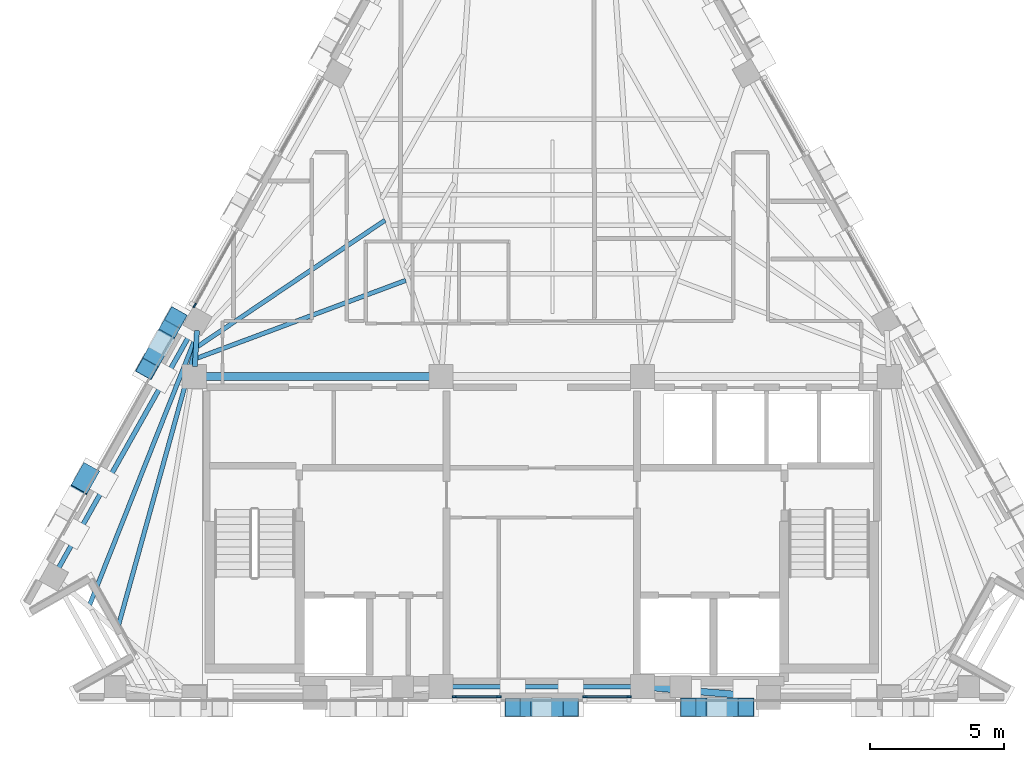
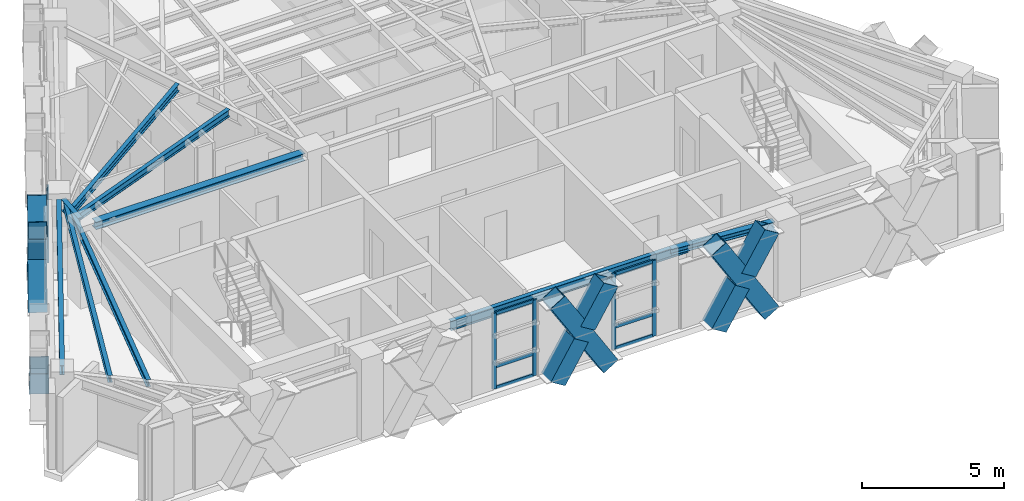
# One storey, part 2 of 11: 21 members, 9 beams, 3 elements without a shape of their own.
"""IFC4 building model written with IfcOpenShell, lengths in metres."""

import ifcopenshell
import ifcopenshell.guid

model = None  # the IFC model being written
_history = None  # IfcOwnerHistory: only IFC2X3 demands one
_inside = {}  # id of a spatial element -> (the spatial element, [elements in it])
_under = {}  # id of a project, library or spatial element -> (it, [spatial elements below it])
_declared = {}  # id of a project -> (the project, [libraries it declares])
_typed = {}  # id of a type object -> (the type object, [elements of that type])
_made_of = {}  # id of a material, layer set ... -> (it, [elements and type objects made of it])


def new_model(schema):
    """Start an empty IFC model of exactly this schema.

    Asked for "IFC4X3", IfcOpenShell would pick the latest addendum, in which some entities
    have other attributes; the version numbers below select the first issue.
    IFC2X3 requires an IfcOwnerHistory on every rooted entity: one is made here for all.
    """
    global model, _history
    if schema == "IFC4X3":
        model = ifcopenshell.file(schema_version=(4, 3, 0, 0))
    else:
        model = ifcopenshell.file(schema=schema)
    _inside.clear()
    _under.clear()
    _declared.clear()
    _typed.clear()
    _made_of.clear()
    _history = None
    if model.schema == "IFC2X3":
        org = make("IfcOrganization", Name="unknown")
        user = make(
            "IfcPersonAndOrganization",
            ThePerson=make("IfcPerson", FamilyName="unknown"),
            TheOrganization=org,
        )
        app = make(
            "IfcApplication",
            ApplicationDeveloper=org,
            Version="unknown",
            ApplicationFullName="unknown",
            ApplicationIdentifier="unknown",
        )
        _history = make(
            "IfcOwnerHistory",
            OwningUser=user,
            OwningApplication=app,
            ChangeAction="ADDED",
            CreationDate=0,
        )
    return model


def make(cls, **values):
    """One entity of the class cls with the attributes given. An attribute that is None is left unset."""
    return model.create_entity(
        cls, **{name: value for name, value in values.items() if value is not None}
    )


def rooted(cls, **values):
    """An entity with a GlobalId (a new one), such as an element, a storey or a relation."""
    return make(cls, GlobalId=ifcopenshell.guid.new(), OwnerHistory=_history, **values)


def si_unit(unit_type, name, prefix=None):
    """IfcSIUnit, for example si_unit("LENGTHUNIT", "METRE", prefix="MILLI")."""
    return make("IfcSIUnit", UnitType=unit_type, Prefix=prefix, Name=name)


def assignment(units):
    """IfcUnitAssignment: the units of a project."""
    return None if units is None else make("IfcUnitAssignment", Units=units)


def point(xyz):
    """IfcCartesianPoint."""
    return None if xyz is None else make("IfcCartesianPoint", Coordinates=xyz)


def direction(xyz):
    """IfcDirection."""
    return None if xyz is None else make("IfcDirection", DirectionRatios=xyz)


def frame(location, z_axis=None, x_axis=None):
    """IfcAxis2Placement3D, a coordinate frame: its origin and axes. An axis left out is left unset."""
    return make(
        "IfcAxis2Placement3D",
        Location=point(location),
        Axis=direction(z_axis),
        RefDirection=direction(x_axis),
    )


def frame_2d(location, x_axis=None):
    """IfcAxis2Placement2D, a coordinate frame in the plane: its origin and x axis."""
    return make(
        "IfcAxis2Placement2D", Location=point(location), RefDirection=direction(x_axis)
    )


def origin():
    """The frame at (0, 0, 0) with its axes left unset."""
    return frame((0.0, 0.0, 0.0))


def origin_2d():
    """The frame at (0, 0) in the plane with its x axis left unset."""
    return frame_2d((0.0, 0.0))


def place(relative_to, where):
    """IfcLocalPlacement: puts the frame where relative to a parent placement (None: the world)."""
    return make(
        "IfcLocalPlacement", PlacementRelTo=relative_to, RelativePlacement=where
    )


def context(
    kind, dimensions, precision=None, world=None, true_north=None, identifier=None
):
    """IfcGeometricRepresentationContext, for example the 3D "Model" context."""
    return make(
        "IfcGeometricRepresentationContext",
        ContextIdentifier=identifier,
        ContextType=kind,
        CoordinateSpaceDimension=dimensions,
        Precision=precision,
        WorldCoordinateSystem=world,
        TrueNorth=true_north,
    )


def subcontext(parent, identifier, kind, view, scale=None):
    """IfcGeometricRepresentationSubContext, for example "Body" below "Model"."""
    return make(
        "IfcGeometricRepresentationSubContext",
        ContextIdentifier=identifier,
        ContextType=kind,
        ParentContext=parent,
        TargetScale=scale,
        TargetView=view,
    )


def project(units=None, contexts=None):
    """IfcProject with its units and contexts."""
    return rooted(
        "IfcProject",
        Name="project",
        RepresentationContexts=contexts,
        UnitsInContext=assignment(units),
    )


def spatial(cls, under=None, at=None, **own):
    """A site, building, storey or space (cls), placed at a placement, below another one or the project."""
    s = rooted(cls, ObjectPlacement=at, **own)
    if under is not None:
        _under.setdefault(under.id(), (under, []))[1].append(s)
    return s


def profile(cls, at=None, kind="AREA", **sizes):
    """A parametric profile (cls). Its sizes go by their IFC names, for example OverallWidth=200.0."""
    return make(cls, ProfileType=kind, Position=at, **sizes)


def rectangle(**sizes):
    """IfcRectangleProfileDef."""
    return profile("IfcRectangleProfileDef", **sizes)


def hollow_rectangle(**sizes):
    """IfcRectangleHollowProfileDef."""
    return profile("IfcRectangleHollowProfileDef", **sizes)


def i_section(**sizes):
    """IfcIShapeProfileDef."""
    return profile("IfcIShapeProfileDef", **sizes)


def extrude(swept, where, along, depth):
    """IfcExtrudedAreaSolid: the profile swept, set in the frame where, extruded along a direction by depth."""
    return make(
        "IfcExtrudedAreaSolid",
        SweptArea=swept,
        Position=where,
        ExtrudedDirection=direction(along),
        Depth=depth,
    )


def shape(context_of_items, identifier, shape_type, items):
    """IfcShapeRepresentation: the items that make up one representation, for example the "Body"."""
    return make(
        "IfcShapeRepresentation",
        ContextOfItems=context_of_items,
        RepresentationIdentifier=identifier,
        RepresentationType=shape_type,
        Items=items,
    )


def material(Name=None, Category=None):
    """IfcMaterial."""
    return make("IfcMaterial", Name=Name, Category=Category)


def material_profile(
    of_material, cross_section, Name=None, Category=None, Priority=None
):
    """IfcMaterialProfile: a cross section and its material."""
    return make(
        "IfcMaterialProfile",
        Name=Name,
        Material=of_material,
        Profile=cross_section,
        Priority=Priority,
        Category=Category,
    )


def profile_set(profiles, Name=None, composite=None):
    """IfcMaterialProfileSet."""
    return make(
        "IfcMaterialProfileSet",
        Name=Name,
        MaterialProfiles=profiles,
        CompositeProfile=composite,
    )


def made_of(thing, what):
    """Note that an element or type object is made of a material, layer set ...; save() writes the relation."""
    if what is not None:
        _made_of.setdefault(what.id(), (what, []))[1].append(thing)
    return thing


def type_object(cls, material=None, **own):
    """A type object (cls), such as IfcWallType, which elements share."""
    return made_of(rooted(cls, **own), material)


def element(
    cls,
    number,
    at=None,
    inside=None,
    cuts=None,
    type_object=None,
    material=None,
    context=None,
    identifier="Body",
    shape_type=None,
    held_by="IfcProductDefinitionShape",
    body=None,
    shapes=None,
    **own,
):
    """One element of the class cls, such as IfcWall. Its Tag is "e" and its number.

    at: its placement. inside: the storey or other place that contains it. cuts: it is an
    opening in that element (IfcRelVoidsElement). A single representation is given by context,
    identifier, shape_type and body (its items); several are given by shapes. held_by: the class
    of the entity that holds the representations. save() writes the other relations.
    """
    e = rooted(cls, Tag="e%d" % number, ObjectPlacement=at, **own)
    if body is not None:
        shapes = [shape(context, identifier, shape_type, body)]
    if shapes is not None:
        e.Representation = make(held_by, Representations=shapes)
    if inside is not None:
        _inside.setdefault(inside.id(), (inside, []))[1].append(e)
    if cuts is not None:
        rooted(
            "IfcRelVoidsElement", RelatingBuildingElement=cuts, RelatedOpeningElement=e
        )
    if type_object is not None:
        _typed.setdefault(type_object.id(), (type_object, []))[1].append(e)
    return made_of(e, material)


def aggregate(whole, parts):
    """IfcRelAggregates: a whole, such as a stair, and the parts it consists of."""
    return rooted("IfcRelAggregates", RelatingObject=whole, RelatedObjects=parts)


def save(model, path):
    """Write the relations noted so far, then the file.

    IfcRelAggregates (storeys below a building ...), IfcRelContainedInSpatialStructure (elements
    in a storey), IfcRelDefinesByType, IfcRelAssociatesMaterial and IfcRelDeclares: one each for
    every whole, place, type object, material and project.
    """
    for whole, parts in _under.values():
        aggregate(whole, parts)
    for where, things in _inside.values():
        rooted(
            "IfcRelContainedInSpatialStructure",
            RelatedElements=things,
            RelatingStructure=where,
        )
    for kind, things in _typed.values():
        rooted("IfcRelDefinesByType", RelatedObjects=things, RelatingType=kind)
    for what, things in _made_of.values():
        rooted("IfcRelAssociatesMaterial", RelatedObjects=things, RelatingMaterial=what)
    for by, libraries in _declared.values():
        rooted("IfcRelDeclares", RelatingContext=by, RelatedDefinitions=libraries)
    model.write(path)


model = new_model("IFC4")

# Units and contexts
model_context = context("Model", 3, precision=1e-05, world=origin(), true_north=direction((0.0, 1.0)))
body_context = subcontext(model_context, "Body", "Model", "MODEL_VIEW")
ifc_project = project(units=[si_unit("LENGTHUNIT", "METRE"), si_unit("AREAUNIT", "SQUARE_METRE"), si_unit("VOLUMEUNIT", "CUBIC_METRE"), si_unit("PLANEANGLEUNIT", "RADIAN"), si_unit("MASSUNIT", "GRAM", prefix="KILO")], contexts=[model_context])

# Site, building, storey
site_placement = place(None, origin())
site = spatial("IfcSite", under=ifc_project, at=site_placement, CompositionType="ELEMENT")
building_placement = place(site_placement, origin())
building = spatial("IfcBuilding", under=site, at=building_placement, Name="Quenlor Broadcast Tower", CompositionType="ELEMENT")
storey_placement = place(building_placement, frame((0.0, 0.0, 263.89990234375)))
storey = spatial("IfcBuildingStorey", under=building, at=storey_placement, Name="L73", CompositionType="ELEMENT", Elevation=263.89990234375)

# Curtain wall, members
ifc_material_1 = material(Name="Architectural Terracotta and Low-E Glazing", Category="masonry")
curtain_wall_type = type_object("IfcCurtainWallType", Name="Unitised Terracotta Curtain Wall System Z5", PredefinedType="NOTDEFINED", material=ifc_material_1)
curtain_wall_1_placement = place(storey_placement, origin())
curtain_wall_1 = element("IfcCurtainWall", 1, at=curtain_wall_1_placement, inside=storey, type_object=curtain_wall_type, Name="L73 Curtain Wall CW5 (L73-S-G1)", PredefinedType="NOTDEFINED")
ifc_material_2 = material(Name="Aluminium 6063-T6", Category="aluminium")
ifc_material_profile_1 = material_profile(ifc_material_2, rectangle(XDim=0.06494140625, YDim=0.169921875, at=origin_2d()))
ifc_profile_set_1 = profile_set([ifc_material_profile_1], Name="Aluminium 6063-T6 MULL65x170")
member_type_1 = type_object("IfcMemberType", Name="CW5 Aluminium Mullion MULL_CW5", PredefinedType="MULLION", material=ifc_profile_set_1)
member_1_placement = place(storey_placement, frame((3.24755859375, -16.72509765625, 0.0), z_axis=(0.0, 0.0, 1.0), x_axis=(0.0, -1.0, 0.0)))
member_1 = element("IfcMember", 2, at=member_1_placement, type_object=member_type_1, Name="CW5 mullion 1", PredefinedType="MULLION", context=body_context, shape_type="SweptSolid", body=[
    extrude(rectangle(XDim=0.06494140625, YDim=0.169921875, at=origin_2d()), origin(), (0.0, 0.0, 1.0), 3.25),
])
member_2_placement = place(storey_placement, frame((1.60400390625, -16.72509765625, 0.0), z_axis=(0.0, 0.0, 1.0), x_axis=(0.0, -1.0, 0.0)))
member_2 = element("IfcMember", 3, at=member_2_placement, type_object=member_type_1, Name="CW5 mullion 2", PredefinedType="MULLION", context=body_context, shape_type="SweptSolid", body=[
    extrude(rectangle(XDim=0.06494140625, YDim=0.169921875, at=origin_2d()), origin(), (0.0, 0.0, 1.0), 3.25),
])

curtain_wall_2_placement = place(storey_placement, origin())
curtain_wall_2 = element("IfcCurtainWall", 4, at=curtain_wall_2_placement, inside=storey, type_object=curtain_wall_type, Name="L73 Curtain Wall CW5 (L73-S-G2)", PredefinedType="NOTDEFINED")
member_3_placement = place(storey_placement, frame((-1.60400390625, -16.72509765625, 0.0), z_axis=(0.0, 0.0, 1.0), x_axis=(0.0, -1.0, 0.0)))
member_3 = element("IfcMember", 5, at=member_3_placement, type_object=member_type_1, Name="CW5 mullion 1", PredefinedType="MULLION", context=body_context, shape_type="SweptSolid", body=[
    extrude(rectangle(XDim=0.06494140625, YDim=0.169921875, at=origin_2d()), origin(), (0.0, 0.0, 1.0), 3.25),
])
member_4_placement = place(storey_placement, frame((-3.24755859375, -16.72509765625, 0.0), z_axis=(0.0, 0.0, 1.0), x_axis=(0.0, -1.0, 0.0)))
member_4 = element("IfcMember", 6, at=member_4_placement, type_object=member_type_1, Name="CW5 mullion 2", PredefinedType="MULLION", context=body_context, shape_type="SweptSolid", body=[
    extrude(rectangle(XDim=0.06494140625, YDim=0.169921875, at=origin_2d()), origin(), (0.0, 0.0, 1.0), 3.25),
])

# Curtain wall, member
curtain_wall_3_placement = place(storey_placement, origin())
curtain_wall_3 = element("IfcCurtainWall", 7, at=curtain_wall_3_placement, inside=storey, type_object=curtain_wall_type, Name="L73 Curtain Wall CW5 (L73-NW-G1)", PredefinedType="NOTDEFINED")
member_5_placement = place(storey_placement, frame((-12.930419921875, -2.1484375, 0.0), z_axis=(0.0, 0.0, 1.0), x_axis=(-0.871574721405, 0.490262689797, 0.0)))
member_5 = element("IfcMember", 8, at=member_5_placement, type_object=member_type_1, Name="CW5 mullion 1", PredefinedType="MULLION", context=body_context, shape_type="SweptSolid", body=[
    extrude(rectangle(XDim=0.06494140625, YDim=0.169921875, at=origin_2d()), origin(), (0.0, 0.0, 1.0), 3.25),
])
aggregate(curtain_wall_3, [member_5])

# Member
ifc_material_3 = material(Name="Aluminium 6063-T6", Category="aluminium")
ifc_material_profile_2 = material_profile(ifc_material_3, rectangle(XDim=0.06494140625, YDim=0.139892578125, at=origin_2d()))
ifc_profile_set_2 = profile_set([ifc_material_profile_2], Name="Aluminium 6063-T6 TRAN65x140")
member_type_2 = type_object("IfcMemberType", Name="CW5 Aluminium Transom TRAN_CW5", PredefinedType="USERDEFINED", material=ifc_profile_set_2)
member_6_placement = place(storey_placement, frame((3.215087890625, -16.72509765625, 0.03271484375), z_axis=(-1.0, 0.0, 0.0), x_axis=(0.0, -1.0, 0.0)))
member_6 = element("IfcMember", 9, at=member_6_placement, type_object=member_type_2, Name="CW5 transom 1.1", ObjectType="TRANSOM", PredefinedType="USERDEFINED", context=body_context, shape_type="SweptSolid", body=[
    extrude(rectangle(XDim=0.06494140625, YDim=0.139892578125, at=origin_2d()), origin(), (0.0, 0.0, 1.0), 1.578369140625),
])

member_7_placement = place(storey_placement, frame((3.215087890625, -16.72509765625, 0.9501953125), z_axis=(-1.0, 0.0, 0.0), x_axis=(0.0, -1.0, 0.0)))
member_7 = element("IfcMember", 10, at=member_7_placement, type_object=member_type_2, Name="CW5 transom 1.2", ObjectType="TRANSOM", PredefinedType="USERDEFINED", context=body_context, shape_type="SweptSolid", body=[
    extrude(rectangle(XDim=0.06494140625, YDim=0.139892578125, at=origin_2d()), origin(), (0.0, 0.0, 1.0), 1.578369140625),
])

member_8_placement = place(storey_placement, frame((3.215087890625, -16.72509765625, 3.217529296875), z_axis=(-1.0, 0.0, 0.0), x_axis=(0.0, -1.0, 0.0)))
member_8 = element("IfcMember", 11, at=member_8_placement, type_object=member_type_2, Name="CW5 transom 1.3", ObjectType="TRANSOM", PredefinedType="USERDEFINED", context=body_context, shape_type="SweptSolid", body=[
    extrude(rectangle(XDim=0.06494140625, YDim=0.139892578125, at=origin_2d()), origin(), (0.0, 0.0, 1.0), 1.578369140625),
])

aggregate(curtain_wall_1, [member_1, member_2, member_6, member_7, member_8])

member_9_placement = place(storey_placement, frame((-1.63671875, -16.72509765625, 0.03271484375), z_axis=(-1.0, 0.0, 0.0), x_axis=(0.0, -1.0, 0.0)))
member_9 = element("IfcMember", 12, at=member_9_placement, type_object=member_type_2, Name="CW5 transom 1.1", ObjectType="TRANSOM", PredefinedType="USERDEFINED", context=body_context, shape_type="SweptSolid", body=[
    extrude(rectangle(XDim=0.06494140625, YDim=0.139892578125, at=origin_2d()), origin(), (0.0, 0.0, 1.0), 1.578369140625),
])

member_10_placement = place(storey_placement, frame((-1.63671875, -16.72509765625, 0.9501953125), z_axis=(-1.0, 0.0, 0.0), x_axis=(0.0, -1.0, 0.0)))
member_10 = element("IfcMember", 13, at=member_10_placement, type_object=member_type_2, Name="CW5 transom 1.2", ObjectType="TRANSOM", PredefinedType="USERDEFINED", context=body_context, shape_type="SweptSolid", body=[
    extrude(rectangle(XDim=0.06494140625, YDim=0.139892578125, at=origin_2d()), origin(), (0.0, 0.0, 1.0), 1.578369140625),
])

member_11_placement = place(storey_placement, frame((-1.63671875, -16.72509765625, 3.217529296875), z_axis=(-1.0, 0.0, 0.0), x_axis=(0.0, -1.0, 0.0)))
member_11 = element("IfcMember", 14, at=member_11_placement, type_object=member_type_2, Name="CW5 transom 1.3", ObjectType="TRANSOM", PredefinedType="USERDEFINED", context=body_context, shape_type="SweptSolid", body=[
    extrude(rectangle(XDim=0.06494140625, YDim=0.139892578125, at=origin_2d()), origin(), (0.0, 0.0, 1.0), 1.578369140625),
])

aggregate(curtain_wall_2, [member_3, member_4, member_9, member_10, member_11])

# Beams
ifc_material_4 = material(Name="Steel S355", Category="steel")
ifc_material_profile_3 = material_profile(ifc_material_4, i_section(OverallWidth=0.25390625, OverallDepth=0.25390625, WebThickness=0.008544921875, FlangeThickness=0.01416015625, FilletRadius=0.013916015625, at=origin_2d()))
ifc_profile_set_3 = profile_set([ifc_material_profile_3], Name="Steel S355 250UC72.9")
beam_type_1 = type_object("IfcBeamType", Name="Core Opening Lintel Beam Steel S355 250UC72.9", PredefinedType="LINTEL", material=ifc_profile_set_3)
beam_1_placement = place(storey_placement, frame((4.108642578125, -16.380615234375, 3.123291015625), z_axis=(0.996399763903, -0.084779186679, 0.0), x_axis=(0.084779186679, 0.996399763903, 0.0)))
element("IfcBeam", 15, at=beam_1_placement, inside=storey, type_object=beam_type_1, Name="L73 Core Opening Lintel Beam 5", PredefinedType="LINTEL", context=body_context, shape_type="SweptSolid", body=[
    extrude(i_section(OverallWidth=0.25390625, OverallDepth=0.25390625, WebThickness=0.008544921875, FlangeThickness=0.01416015625, FilletRadius=0.013916015625, at=origin_2d()), origin(), (0.0, 0.0, 1.0), 3.9970703125),
])
ifc_material_5 = material(Name="Steel S355", Category="steel")
ifc_material_profile_4 = material_profile(ifc_material_5, i_section(OverallWidth=0.306884765625, OverallDepth=0.314697265625, WebThickness=0.011962890625, FlangeThickness=0.018798828125, FilletRadius=0.0166015625, at=origin_2d()))
ifc_profile_set_4 = profile_set([ifc_material_profile_4], Name="Steel S355 310UC118")
beam_type_2 = type_object("IfcBeamType", Name="Core Tie Beam Steel S355 310UC118", PredefinedType="BEAM", material=ifc_profile_set_4)
beam_2_placement = place(storey_placement, frame((-12.590087890625, -4.800048828125, 3.0927734375), z_axis=(1.0, 0.0, 0.0), x_axis=(0.0, 1.0, 0.0)))
element("IfcBeam", 16, at=beam_2_placement, inside=storey, type_object=beam_type_2, Name="L73 Core Tie Beam 1", PredefinedType="BEAM", context=body_context, shape_type="SweptSolid", body=[
    extrude(i_section(OverallWidth=0.306884765625, OverallDepth=0.314697265625, WebThickness=0.011962890625, FlangeThickness=0.018798828125, FilletRadius=0.0166015625, at=origin_2d()), origin(), (0.0, 0.0, 1.0), 8.47998046875),
])

# Members
ifc_material_6 = material(Name="Steel S355", Category="steel")
ifc_material_profile_5 = material_profile(ifc_material_6, hollow_rectangle(XDim=0.679931640625, YDim=0.679931640625, WallThickness=0.02001953125, at=origin_2d()))
ifc_profile_set_5 = profile_set([ifc_material_profile_5], Name="Steel S355 RHS680x680x20")
member_type_3 = type_object("IfcMemberType", Name="Perimeter Diagonal Lattice Brace Z5-Crown Steel S355 RHS680x20", PredefinedType="BRACE", material=ifc_profile_set_5)
member_12_placement = place(storey_placement, frame((7.607666015625, -17.1201171875, -0.119873046875), z_axis=(-0.5236596973, 0.0, 0.851927532965), x_axis=(0.0, -1.0, 0.0)))
element("IfcMember", 17, at=member_12_placement, inside=storey, type_object=member_type_3, Name="L73 Perimeter Diamond Lattice S-C2XA", PredefinedType="BRACE", context=body_context, shape_type="SweptSolid", body=[
    extrude(hollow_rectangle(XDim=0.679931640625, YDim=0.679931640625, WallThickness=0.02001953125, at=origin_2d()), origin(), (0.0, 0.0, 1.0), 4.1083984375),
])
member_13_placement = place(storey_placement, frame((5.456298828125, -17.1201171875, -0.119873046875), z_axis=(0.523719849356, 0.0, 0.851890555993), x_axis=(0.0, 1.0, 0.0)))
element("IfcMember", 18, at=member_13_placement, inside=storey, type_object=member_type_3, Name="L73 Perimeter Diamond Lattice S-C2XB1", PredefinedType="BRACE", context=body_context, shape_type="SweptSolid", body=[
    extrude(hollow_rectangle(XDim=0.679931640625, YDim=0.679931640625, WallThickness=0.02001953125, at=origin_2d()), origin(), (0.0, 0.0, 1.0), 1.803955078125),
])
member_14_placement = place(storey_placement, frame((6.662841796875, -17.1201171875, 1.843017578125), z_axis=(0.523659478087, 0.0, 0.85192766771), x_axis=(0.0, 1.0, 0.0)))
element("IfcMember", 19, at=member_14_placement, inside=storey, type_object=member_type_3, Name="L73 Perimeter Diamond Lattice S-C2XB2", PredefinedType="BRACE", context=body_context, shape_type="SweptSolid", body=[
    extrude(hollow_rectangle(XDim=0.679931640625, YDim=0.679931640625, WallThickness=0.02001953125, at=origin_2d()), origin(), (0.0, 0.0, 1.0), 1.80419921875),
])
member_15_placement = place(storey_placement, frame((1.07568359375, -17.1201171875, -0.119873046875), z_axis=(-0.5236596973, 0.0, 0.851927532965), x_axis=(0.0, -1.0, 0.0)))
element("IfcMember", 20, at=member_15_placement, inside=storey, type_object=member_type_3, Name="L73 Perimeter Diamond Lattice S-C3XA", PredefinedType="BRACE", context=body_context, shape_type="SweptSolid", body=[
    extrude(hollow_rectangle(XDim=0.679931640625, YDim=0.679931640625, WallThickness=0.02001953125, at=origin_2d()), origin(), (0.0, 0.0, 1.0), 4.1083984375),
])
member_16_placement = place(storey_placement, frame((-1.07568359375, -17.1201171875, -0.119873046875), z_axis=(0.523719849356, 0.0, 0.851890555993), x_axis=(0.0, 1.0, 0.0)))
element("IfcMember", 21, at=member_16_placement, inside=storey, type_object=member_type_3, Name="L73 Perimeter Diamond Lattice S-C3XB1", PredefinedType="BRACE", context=body_context, shape_type="SweptSolid", body=[
    extrude(hollow_rectangle(XDim=0.679931640625, YDim=0.679931640625, WallThickness=0.02001953125, at=origin_2d()), origin(), (0.0, 0.0, 1.0), 1.803955078125),
])
member_17_placement = place(storey_placement, frame((0.130859375, -17.1201171875, 1.843017578125), z_axis=(0.523659478087, 0.0, 0.85192766771), x_axis=(0.0, 1.0, 0.0)))
element("IfcMember", 22, at=member_17_placement, inside=storey, type_object=member_type_3, Name="L73 Perimeter Diamond Lattice S-C3XB2", PredefinedType="BRACE", context=body_context, shape_type="SweptSolid", body=[
    extrude(hollow_rectangle(XDim=0.679931640625, YDim=0.679931640625, WallThickness=0.02001953125, at=origin_2d()), origin(), (0.0, 0.0, 1.0), 1.80419921875),
])
member_18_placement = place(storey_placement, frame((-16.905517578125, -8.40966796875, -0.119873046875), z_axis=(-0.26068648878, -0.463293264743, 0.846995811921), x_axis=(0.871507987664, -0.490381308207, 0.0)))
element("IfcMember", 23, at=member_18_placement, inside=storey, type_object=member_type_3, Name="L73 Perimeter Diamond Lattice NW-C1XB1", PredefinedType="BRACE", context=body_context, shape_type="SweptSolid", body=[
    extrude(hollow_rectangle(XDim=0.679931640625, YDim=0.679931640625, WallThickness=0.02001953125, at=origin_2d()), origin(), (0.0, 0.0, 1.0), 1.81591796875),
])
member_19_placement = place(storey_placement, frame((-14.712646484375, -4.510986328125, -0.119873046875), z_axis=(0.260563732169, 0.463283497491, 0.847038926161), x_axis=(-0.871602253711, 0.49021374045, 0.0)))
element("IfcMember", 24, at=member_19_placement, inside=storey, type_object=member_type_3, Name="L73 Perimeter Diamond Lattice NW-C2XA", PredefinedType="BRACE", context=body_context, shape_type="SweptSolid", body=[
    extrude(hollow_rectangle(XDim=0.679931640625, YDim=0.679931640625, WallThickness=0.02001953125, at=origin_2d()), origin(), (0.0, 0.0, 1.0), 4.132080078125),
])
for number, where, z_axis, x_axis, name in (
    (25, (-13.635986328125, -2.5966796875, -0.119873046875), (-0.260561174869, -0.463309498762, 0.847025491062), (0.871616063886, -0.490189185087, 0.0), "L73 Perimeter Diamond Lattice NW-C2XB1"),
    (26, (-14.239501953125, -3.669921875, 1.841796875), (-0.26054772884, -0.463151148531, 0.847116222611), (0.871555267041, -0.490297273593, 0.0), "L73 Perimeter Diamond Lattice NW-C2XB2"),
):
    element("IfcMember", number, at=place(storey_placement, frame(where, z_axis=z_axis, x_axis=x_axis)), inside=storey, type_object=member_type_3, Name=name, PredefinedType="BRACE", context=body_context, shape_type="SweptSolid", body=[
        extrude(hollow_rectangle(XDim=0.679931640625, YDim=0.679931640625, WallThickness=0.02001953125, at=origin_2d()), origin(), (0.0, 0.0, 1.0), 1.81591796875),
    ])

# Beams
ifc_material_7 = material(Name="Steel S355", Category="steel")
ifc_material_profile_6 = material_profile(ifc_material_7, i_section(OverallWidth=0.177978515625, OverallDepth=0.406494140625, WebThickness=0.0078125, FlangeThickness=0.0126953125, FilletRadius=0.011474609375, at=origin_2d()))
ifc_profile_set_6 = profile_set([ifc_material_profile_6], Name="Steel S355 410UB59.7")
beam_type_3 = type_object("IfcBeamType", Name="Perimeter Spandrel Beam Z5 Steel S355 410UB59.7", PredefinedType="SPANDREL", material=ifc_profile_set_6)
beam_3_placement = place(storey_placement, frame((-4.823974609375, -16.35009765625, 3.046875), z_axis=(1.0, 0.0, 0.0), x_axis=(0.0, 1.0, 0.0)))
element("IfcBeam", 27, at=beam_3_placement, inside=storey, type_object=beam_type_3, Name="L73 Spandrel Beam S2-S3", PredefinedType="SPANDREL", context=body_context, shape_type="SweptSolid", body=[
    extrude(i_section(OverallWidth=0.177978515625, OverallDepth=0.406494140625, WebThickness=0.0078125, FlangeThickness=0.0126953125, FilletRadius=0.011474609375, at=origin_2d()), origin(), (0.0, 0.0, 1.0), 9.64794921875),
])
beam_4_placement = place(storey_placement, frame((-13.001953125, -3.04052734375, 3.046875), z_axis=(-0.490274867878, -0.871567871096, 0.0), x_axis=(0.871567871096, -0.490274867878, 0.0)))
element("IfcBeam", 28, at=beam_4_placement, inside=storey, type_object=beam_type_3, Name="L73 Spandrel Beam NW3-NW4", PredefinedType="SPANDREL", context=body_context, shape_type="SweptSolid", body=[
    extrude(i_section(OverallWidth=0.177978515625, OverallDepth=0.406494140625, WebThickness=0.0078125, FlangeThickness=0.0126953125, FilletRadius=0.011474609375, at=origin_2d()), origin(), (0.0, 0.0, 1.0), 10.206298828125),
])
ifc_material_8 = material(Name="Steel S355", Category="steel")
ifc_material_profile_7 = material_profile(ifc_material_8, i_section(OverallWidth=0.166015625, OverallDepth=0.30712890625, WebThickness=0.006591796875, FlangeThickness=0.01171875, FilletRadius=0.011474609375, at=origin_2d()))
ifc_profile_set_7 = profile_set([ifc_material_profile_7], Name="Steel S355 310UB46.2")
beam_type_4 = type_object("IfcBeamType", Name="Tower Composite Joist Z4-Z5 Steel S355 310UB46.2", PredefinedType="JOIST", material=ifc_profile_set_7)
beam_5_placement = place(storey_placement, frame((-12.835205078125, -4.108642578125, 3.096435546875), z_axis=(0.937062080226, 0.349162795559, 0.0), x_axis=(-0.349162795559, 0.937062080226, 0.0)))
element("IfcBeam", 29, at=beam_5_placement, inside=storey, type_object=beam_type_4, Name="L73 Secondary Composite Joist 7", PredefinedType="JOIST", context=body_context, shape_type="SweptSolid", body=[
    extrude(i_section(OverallWidth=0.166015625, OverallDepth=0.30712890625, WebThickness=0.006591796875, FlangeThickness=0.01171875, FilletRadius=0.011474609375, at=origin_2d()), origin(), (0.0, 0.0, 1.0), 8.286376953125),
])
beam_6_placement = place(storey_placement, frame((-12.81884765625, -3.67724609375, 3.096435546875), z_axis=(0.829286301475, 0.558823970661, 0.0), x_axis=(-0.558823970661, 0.829286301475, 0.0)))
element("IfcBeam", 30, at=beam_6_placement, inside=storey, type_object=beam_type_4, Name="L73 Secondary Composite Joist 8", PredefinedType="JOIST", context=body_context, shape_type="SweptSolid", body=[
    extrude(i_section(OverallWidth=0.166015625, OverallDepth=0.30712890625, WebThickness=0.006591796875, FlangeThickness=0.01171875, FilletRadius=0.011474609375, at=origin_2d()), origin(), (0.0, 0.0, 1.0), 8.415771484375),
])
beam_7_placement = place(storey_placement, frame((-15.806396484375, -14.197998046875, 3.096435546875), z_axis=(0.26744552871, 0.96357298072, 0.0), x_axis=(-0.96357298072, 0.26744552871, 0.0)))
element("IfcBeam", 31, at=beam_7_placement, inside=storey, type_object=beam_type_4, Name="L73 Secondary Composite Joist 14", PredefinedType="JOIST", context=body_context, shape_type="SweptSolid", body=[
    extrude(i_section(OverallWidth=0.166015625, OverallDepth=0.30712890625, WebThickness=0.006591796875, FlangeThickness=0.01171875, FilletRadius=0.011474609375, at=origin_2d()), origin(), (0.0, 0.0, 1.0), 10.856689453125),
])
beam_8_placement = place(storey_placement, frame((-16.8447265625, -13.300537109375, 3.096435546875), z_axis=(0.368680258049, 0.929556274426, 0.0), x_axis=(-0.929556274426, 0.368680258049, 0.0)))
element("IfcBeam", 32, at=beam_8_placement, inside=storey, type_object=beam_type_4, Name="L73 Secondary Composite Joist 15", PredefinedType="JOIST", context=body_context, shape_type="SweptSolid", body=[
    extrude(i_section(OverallWidth=0.166015625, OverallDepth=0.30712890625, WebThickness=0.006591796875, FlangeThickness=0.01171875, FilletRadius=0.011474609375, at=origin_2d()), origin(), (0.0, 0.0, 1.0), 10.737548828125),
])
ifc_material_9 = material(Name="Steel S355", Category="steel")
ifc_material_profile_8 = material_profile(ifc_material_9, i_section(OverallWidth=0.19091796875, OverallDepth=0.46044921875, WebThickness=0.010009765625, FlangeThickness=0.01611328125, FilletRadius=0.011474609375, at=origin_2d()))
ifc_profile_set_8 = profile_set([ifc_material_profile_8], Name="Steel S355 460UB82.1")
beam_type_5 = type_object("IfcBeamType", Name="Tower Primary Floor Beam Z5 Steel S355 460UB82.1", PredefinedType="BEAM", material=ifc_profile_set_8)
beam_9_placement = place(storey_placement, frame((-12.84716796875, -3.086181640625, 3.02001953125), z_axis=(-0.059899569349, -0.998204408722, 0.0), x_axis=(0.998204408722, -0.059899569349, 0.0)))
element("IfcBeam", 33, at=beam_9_placement, inside=storey, type_object=beam_type_5, Name="L73 Primary Radial Beam NW3", PredefinedType="BEAM", context=body_context, shape_type="SweptSolid", body=[
    extrude(i_section(OverallWidth=0.19091796875, OverallDepth=0.46044921875, WebThickness=0.010009765625, FlangeThickness=0.01611328125, FilletRadius=0.011474609375, at=origin_2d()), origin(), (0.0, 0.0, 1.0), 1.3369140625),
])

save(model, "model.ifc")
